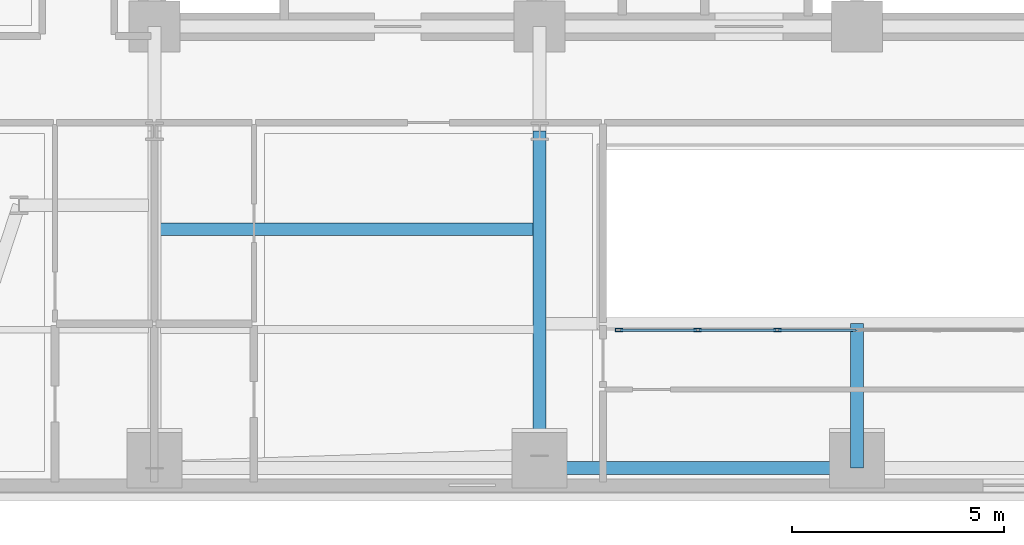
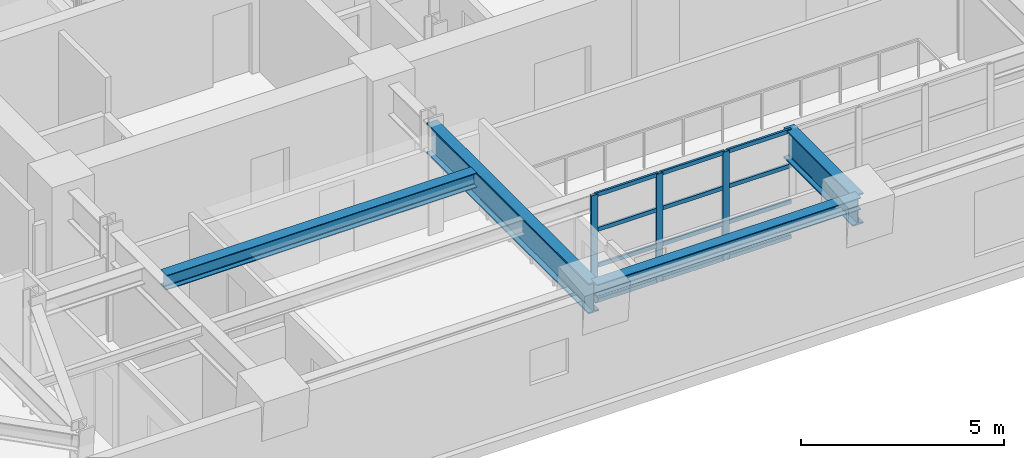
# One storey, part 2 of 16: 15 members, 4 beams, 1 element without a shape of its own.
"""IFC4 building model written with IfcOpenShell, lengths in metres."""

from ifc_helpers import new_model, si_unit, direction, frame, origin, origin_2d, place, context, subcontext, project, spatial, hollow_rectangle, i_section, extrude, material, layer, layer_set, material_profile, profile_set, type_object, element, aggregate, save


model = new_model("IFC4")

# Units and contexts
model_context = context("Model", 3, precision=1e-05, world=origin(), true_north=direction((0.0, 1.0)))
body_context = subcontext(model_context, "Body", "Model", "MODEL_VIEW")
ifc_project = project(units=[si_unit("LENGTHUNIT", "METRE"), si_unit("AREAUNIT", "SQUARE_METRE"), si_unit("VOLUMEUNIT", "CUBIC_METRE"), si_unit("PLANEANGLEUNIT", "RADIAN"), si_unit("MASSUNIT", "GRAM", prefix="KILO")], contexts=[model_context])

# Site, building, storey
site_placement = place(None, origin())
site = spatial("IfcSite", under=ifc_project, at=site_placement, CompositionType="ELEMENT")
building_placement = place(site_placement, origin())
building = spatial("IfcBuilding", under=site, at=building_placement, Name="Zarnavel Station Tower", CompositionType="ELEMENT")
storey_placement = place(building_placement, frame((0.0, 0.0, 94.300048828125)))
storey = spatial("IfcBuildingStorey", under=building, at=storey_placement, Name="L25", CompositionType="ELEMENT", Elevation=94.300048828125)

# Curtain wall, members
ifc_material_1 = material(Name="Aluminium Dark Anodised and Solar-Control Glass", Category="aluminium")
ifc_layer = layer(ifc_material_1, 0.179931640625)
ifc_layer_set = layer_set([ifc_layer], Name="CWS3")
curtain_wall_type = type_object("IfcCurtainWallType", Name="CWS3", PredefinedType="NOTDEFINED", material=ifc_layer_set)
curtain_wall_placement = place(storey_placement, origin())
curtain_wall = element("IfcCurtainWall", 1, at=curtain_wall_placement, inside=storey, type_object=curtain_wall_type, Name="L25 Curtain Wall CWS3-L25-AS", PredefinedType="NOTDEFINED")
ifc_material_2 = material(Name="Steel S355J2 (Black Fluoropolymer Coated)", Category="steel")
ifc_material_profile_1 = material_profile(ifc_material_2, hollow_rectangle(XDim=0.080078125, YDim=0.179931640625, WallThickness=0.00634765625, at=origin_2d()), Name="RHS180x80x6.3")
ifc_profile_set_1 = profile_set([ifc_material_profile_1], Name="Steel S355J2 (Black Fluoropolymer Coated)")
member_type_1 = type_object("IfcMemberType", Name="CWS3_MUL", PredefinedType="MULLION", material=ifc_profile_set_1)
member_1_placement = place(storey_placement, frame((23.179931640625, 20.64990234375, 0.0), z_axis=(0.0, 0.0, 1.0), x_axis=(0.0, 1.0, 0.0)))
member_1 = element("IfcMember", 2, at=member_1_placement, type_object=member_type_1, Name="CW3 mullion 1", PredefinedType="MULLION", context=body_context, shape_type="SweptSolid", body=[
    extrude(hollow_rectangle(XDim=0.080078125, YDim=0.179931640625, WallThickness=0.00634765625, at=origin_2d()), origin(), (0.0, 0.0, 1.0), 3.239990234375),
])
member_2_placement = place(storey_placement, frame((25.033447265625, 20.64990234375, 0.0), z_axis=(0.0, 0.0, 1.0), x_axis=(0.0, 1.0, 0.0)))
member_2 = element("IfcMember", 3, at=member_2_placement, type_object=member_type_1, Name="CW3 mullion 2", PredefinedType="MULLION", context=body_context, shape_type="SweptSolid", body=[
    extrude(hollow_rectangle(XDim=0.080078125, YDim=0.179931640625, WallThickness=0.00634765625, at=origin_2d()), origin(), (0.0, 0.0, 1.0), 3.239990234375),
])
member_3_placement = place(storey_placement, frame((26.916748046875, 20.64990234375, 0.0), z_axis=(0.0, 0.0, 1.0), x_axis=(0.0, 1.0, 0.0)))
member_3 = element("IfcMember", 4, at=member_3_placement, type_object=member_type_1, Name="CW3 mullion 3", PredefinedType="MULLION", context=body_context, shape_type="SweptSolid", body=[
    extrude(hollow_rectangle(XDim=0.080078125, YDim=0.179931640625, WallThickness=0.00634765625, at=origin_2d()), origin(), (0.0, 0.0, 1.0), 3.239990234375),
])
ifc_material_3 = material(Name="Steel S355J2 (Black Fluoropolymer Coated)", Category="steel")
ifc_material_profile_2 = material_profile(ifc_material_3, hollow_rectangle(XDim=0.06005859375, YDim=0.1201171875, WallThickness=0.0048828125, at=origin_2d()), Name="RHS120x60x5")
ifc_profile_set_2 = profile_set([ifc_material_profile_2], Name="Steel S355J2 (Black Fluoropolymer Coated)")
member_type_2 = type_object("IfcMemberType", Name="CWS3_TRN", PredefinedType="USERDEFINED", material=ifc_profile_set_2)
member_4_placement = place(storey_placement, frame((23.2099609375, 20.64990234375, 0.030029296875), z_axis=(1.0, 0.0, 0.0), x_axis=(0.0, 1.0, 0.0)))
member_4 = element("IfcMember", 5, at=member_4_placement, type_object=member_type_2, Name="CW3 transom 1.1", ObjectType="TRANSOM", PredefinedType="USERDEFINED", context=body_context, shape_type="SweptSolid", body=[
    extrude(hollow_rectangle(XDim=0.06005859375, YDim=0.1201171875, WallThickness=0.0048828125, at=origin_2d()), origin(), (0.0, 0.0, 1.0), 1.79345703125),
])
member_5_placement = place(storey_placement, frame((23.2099609375, 20.64990234375, 1.079833984375), z_axis=(1.0, 0.0, 0.0), x_axis=(0.0, 1.0, 0.0)))
member_5 = element("IfcMember", 6, at=member_5_placement, type_object=member_type_2, Name="CW3 transom 1.2", ObjectType="TRANSOM", PredefinedType="USERDEFINED", context=body_context, shape_type="SweptSolid", body=[
    extrude(hollow_rectangle(XDim=0.06005859375, YDim=0.1201171875, WallThickness=0.0048828125, at=origin_2d()), origin(), (0.0, 0.0, 1.0), 1.79345703125),
])
member_6_placement = place(storey_placement, frame((23.2099609375, 20.64990234375, 2.159912109375), z_axis=(1.0, 0.0, 0.0), x_axis=(0.0, 1.0, 0.0)))
member_6 = element("IfcMember", 7, at=member_6_placement, type_object=member_type_2, Name="CW3 transom 1.3", ObjectType="TRANSOM", PredefinedType="USERDEFINED", context=body_context, shape_type="SweptSolid", body=[
    extrude(hollow_rectangle(XDim=0.06005859375, YDim=0.1201171875, WallThickness=0.0048828125, at=origin_2d()), origin(), (0.0, 0.0, 1.0), 1.79345703125),
])
member_7_placement = place(storey_placement, frame((23.2099609375, 20.64990234375, 3.2099609375), z_axis=(1.0, 0.0, 0.0), x_axis=(0.0, 1.0, 0.0)))
member_7 = element("IfcMember", 8, at=member_7_placement, type_object=member_type_2, Name="CW3 transom 1.4", ObjectType="TRANSOM", PredefinedType="USERDEFINED", context=body_context, shape_type="SweptSolid", body=[
    extrude(hollow_rectangle(XDim=0.06005859375, YDim=0.1201171875, WallThickness=0.0048828125, at=origin_2d()), origin(), (0.0, 0.0, 1.0), 1.79345703125),
])
member_8_placement = place(storey_placement, frame((25.063232421875, 20.64990234375, 0.030029296875), z_axis=(1.0, 0.0, 0.0), x_axis=(0.0, 1.0, 0.0)))
member_8 = element("IfcMember", 9, at=member_8_placement, type_object=member_type_2, Name="CW3 transom 2.1", ObjectType="TRANSOM", PredefinedType="USERDEFINED", context=body_context, shape_type="SweptSolid", body=[
    extrude(hollow_rectangle(XDim=0.06005859375, YDim=0.1201171875, WallThickness=0.0048828125, at=origin_2d()), origin(), (0.0, 0.0, 1.0), 1.823486328125),
])
member_9_placement = place(storey_placement, frame((25.063232421875, 20.64990234375, 1.079833984375), z_axis=(1.0, 0.0, 0.0), x_axis=(0.0, 1.0, 0.0)))
member_9 = element("IfcMember", 10, at=member_9_placement, type_object=member_type_2, Name="CW3 transom 2.2", ObjectType="TRANSOM", PredefinedType="USERDEFINED", context=body_context, shape_type="SweptSolid", body=[
    extrude(hollow_rectangle(XDim=0.06005859375, YDim=0.1201171875, WallThickness=0.0048828125, at=origin_2d()), origin(), (0.0, 0.0, 1.0), 1.823486328125),
])
member_10_placement = place(storey_placement, frame((25.063232421875, 20.64990234375, 2.159912109375), z_axis=(1.0, 0.0, 0.0), x_axis=(0.0, 1.0, 0.0)))
member_10 = element("IfcMember", 11, at=member_10_placement, type_object=member_type_2, Name="CW3 transom 2.3", ObjectType="TRANSOM", PredefinedType="USERDEFINED", context=body_context, shape_type="SweptSolid", body=[
    extrude(hollow_rectangle(XDim=0.06005859375, YDim=0.1201171875, WallThickness=0.0048828125, at=origin_2d()), origin(), (0.0, 0.0, 1.0), 1.823486328125),
])
member_11_placement = place(storey_placement, frame((25.063232421875, 20.64990234375, 3.2099609375), z_axis=(1.0, 0.0, 0.0), x_axis=(0.0, 1.0, 0.0)))
member_11 = element("IfcMember", 12, at=member_11_placement, type_object=member_type_2, Name="CW3 transom 2.4", ObjectType="TRANSOM", PredefinedType="USERDEFINED", context=body_context, shape_type="SweptSolid", body=[
    extrude(hollow_rectangle(XDim=0.06005859375, YDim=0.1201171875, WallThickness=0.0048828125, at=origin_2d()), origin(), (0.0, 0.0, 1.0), 1.823486328125),
])
member_12_placement = place(storey_placement, frame((26.94677734375, 20.64990234375, 0.030029296875), z_axis=(1.0, 0.0, 0.0), x_axis=(0.0, 1.0, 0.0)))
member_12 = element("IfcMember", 13, at=member_12_placement, type_object=member_type_2, Name="CW3 transom 3.1", ObjectType="TRANSOM", PredefinedType="USERDEFINED", context=body_context, shape_type="SweptSolid", body=[
    extrude(hollow_rectangle(XDim=0.06005859375, YDim=0.1201171875, WallThickness=0.0048828125, at=origin_2d()), origin(), (0.0, 0.0, 1.0), 1.8232421875),
])
member_13_placement = place(storey_placement, frame((26.94677734375, 20.64990234375, 1.079833984375), z_axis=(1.0, 0.0, 0.0), x_axis=(0.0, 1.0, 0.0)))
member_13 = element("IfcMember", 14, at=member_13_placement, type_object=member_type_2, Name="CW3 transom 3.2", ObjectType="TRANSOM", PredefinedType="USERDEFINED", context=body_context, shape_type="SweptSolid", body=[
    extrude(hollow_rectangle(XDim=0.06005859375, YDim=0.1201171875, WallThickness=0.0048828125, at=origin_2d()), origin(), (0.0, 0.0, 1.0), 1.8232421875),
])
member_14_placement = place(storey_placement, frame((26.94677734375, 20.64990234375, 2.159912109375), z_axis=(1.0, 0.0, 0.0), x_axis=(0.0, 1.0, 0.0)))
member_14 = element("IfcMember", 15, at=member_14_placement, type_object=member_type_2, Name="CW3 transom 3.3", ObjectType="TRANSOM", PredefinedType="USERDEFINED", context=body_context, shape_type="SweptSolid", body=[
    extrude(hollow_rectangle(XDim=0.06005859375, YDim=0.1201171875, WallThickness=0.0048828125, at=origin_2d()), origin(), (0.0, 0.0, 1.0), 1.8232421875),
])
member_15_placement = place(storey_placement, frame((26.94677734375, 20.64990234375, 3.2099609375), z_axis=(1.0, 0.0, 0.0), x_axis=(0.0, 1.0, 0.0)))
member_15 = element("IfcMember", 16, at=member_15_placement, type_object=member_type_2, Name="CW3 transom 3.4", ObjectType="TRANSOM", PredefinedType="USERDEFINED", context=body_context, shape_type="SweptSolid", body=[
    extrude(hollow_rectangle(XDim=0.06005859375, YDim=0.1201171875, WallThickness=0.0048828125, at=origin_2d()), origin(), (0.0, 0.0, 1.0), 1.8232421875),
])
aggregate(curtain_wall, [member_1, member_2, member_3, member_4, member_5, member_6, member_7, member_8, member_9, member_10, member_11, member_12, member_13, member_14, member_15])

# Beams
ifc_material_4 = material(Name="Steel S355J2", Category="steel")
ifc_material_profile_3 = material_profile(ifc_material_4, i_section(OverallWidth=0.300048828125, OverallDepth=0.360107421875, WebThickness=0.012451171875, FlangeThickness=0.0224609375, FilletRadius=0.027099609375, at=origin_2d()), Name="HEB360")
ifc_profile_set_3 = profile_set([ifc_material_profile_3], Name="Steel S355J2")
beam_type_1 = type_object("IfcBeamType", Name="EB_HEB360", PredefinedType="SPANDREL", material=ifc_profile_set_3)
beam_1_placement = place(storey_placement, frame((21.300048828125, 17.388916015625, 3.06005859375), z_axis=(1.0, 0.0, 0.0), x_axis=(0.0, 1.0, 0.0)))
element("IfcBeam", 17, at=beam_1_placement, inside=storey, type_object=beam_type_1, Name="L25 South Raked Spandrel 2", PredefinedType="SPANDREL", context=body_context, shape_type="SweptSolid", body=[
    extrude(i_section(OverallWidth=0.300048828125, OverallDepth=0.360107421875, WebThickness=0.012451171875, FlangeThickness=0.0224609375, FilletRadius=0.027099609375, at=origin_2d()), origin(), (0.0, 0.0, 1.0), 7.5),
])
ifc_material_5 = material(Name="Steel S355J2", Category="steel")
ifc_material_profile_4 = material_profile(ifc_material_5, i_section(OverallWidth=0.300048828125, OverallDepth=0.43994140625, WebThickness=0.011474609375, FlangeThickness=0.02099609375, FilletRadius=0.027099609375, at=origin_2d()), Name="HEA450")
ifc_profile_set_4 = profile_set([ifc_material_profile_4], Name="Steel S355J2")
beam_type_2 = type_object("IfcBeamType", Name="FB_HEA450", PredefinedType="BEAM", material=ifc_profile_set_4)
beam_2_placement = place(storey_placement, frame((12.344970703125, 23.029541015625, 3.02001953125), z_axis=(1.0, 0.0, 0.0), x_axis=(0.0, 1.0, 0.0)))
element("IfcBeam", 18, at=beam_2_placement, inside=storey, type_object=beam_type_2, Name="L25 West Bay Beam 2", PredefinedType="BEAM", context=body_context, shape_type="SweptSolid", body=[
    extrude(i_section(OverallWidth=0.300048828125, OverallDepth=0.43994140625, WebThickness=0.011474609375, FlangeThickness=0.02099609375, FilletRadius=0.027099609375, at=origin_2d()), origin(), (0.0, 0.0, 1.0), 8.81005859375),
])
ifc_material_6 = material(Name="Steel S460M", Category="steel")
ifc_material_profile_5 = material_profile(ifc_material_6, i_section(OverallWidth=0.302001953125, OverallDepth=0.909912109375, WebThickness=0.02099609375, FlangeThickness=0.0400390625, FilletRadius=0.030029296875, at=origin_2d()), Name="HEM900")
ifc_profile_set_5 = profile_set([ifc_material_profile_5], Name="Steel S460M")
beam_type_3 = type_object("IfcBeamType", Name="TG_HEM900", PredefinedType="USERDEFINED", material=ifc_profile_set_5)
beam_3_placement = place(storey_placement, frame((21.300048828125, 17.388916015625, 2.784912109375), z_axis=(0.0, 1.0, 0.0), x_axis=(-1.0, 0.0, 0.0)))
element("IfcBeam", 19, at=beam_3_placement, inside=storey, type_object=beam_type_3, Name="L25 South-Zone NS Girder 2", ObjectType="GIRDER", PredefinedType="USERDEFINED", context=body_context, shape_type="SweptSolid", body=[
    extrude(i_section(OverallWidth=0.302001953125, OverallDepth=0.909912109375, WebThickness=0.02099609375, FlangeThickness=0.0400390625, FilletRadius=0.030029296875, at=origin_2d()), origin(), (0.0, 0.0, 1.0), 7.961181640625),
])
beam_4_placement = place(storey_placement, frame((28.800048828125, 17.388916015625, 2.784912109375), z_axis=(0.0, 1.0, 0.0), x_axis=(-1.0, 0.0, 0.0)))
element("IfcBeam", 20, at=beam_4_placement, inside=storey, type_object=beam_type_3, Name="L25 Central Atrium-South Girder", ObjectType="GIRDER", PredefinedType="USERDEFINED", context=body_context, shape_type="SweptSolid", body=[
    extrude(i_section(OverallWidth=0.302001953125, OverallDepth=0.909912109375, WebThickness=0.02099609375, FlangeThickness=0.0400390625, FilletRadius=0.030029296875, at=origin_2d()), origin(), (0.0, 0.0, 1.0), 3.4111328125),
])

save(model, "model.ifc")
